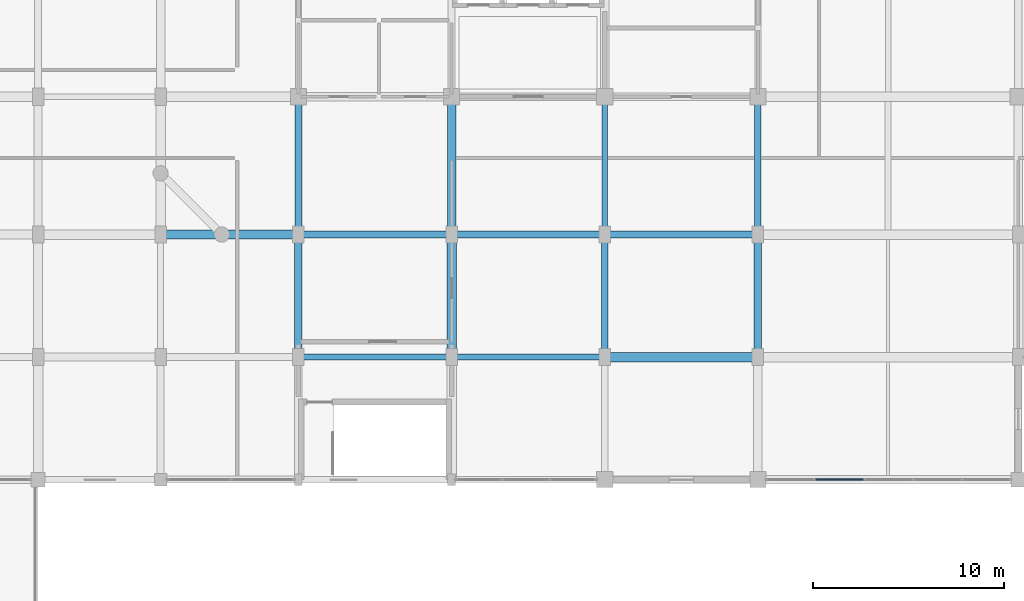
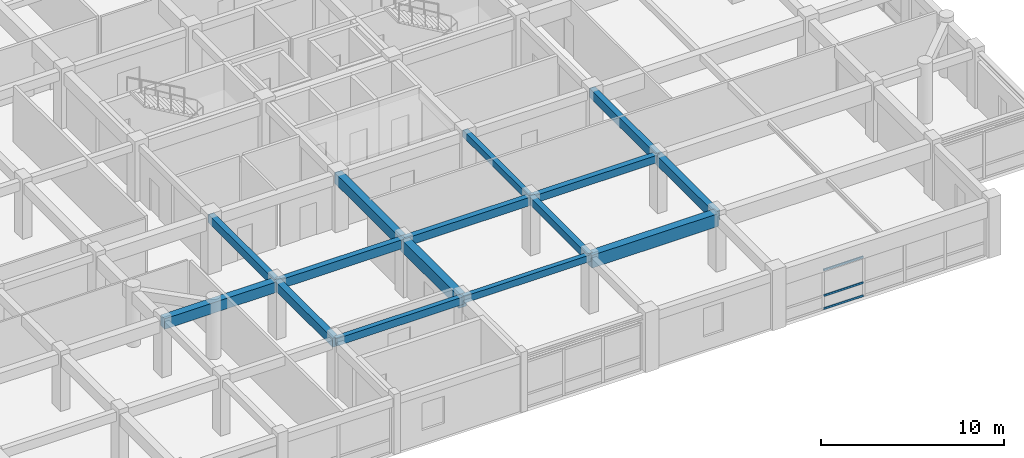
# One storey, part 10 of 27: 15 beams, 3 members, 1 element without a shape of its own.
"""IFC4 building model written with IfcOpenShell, lengths in metres."""

from ifc_helpers import new_model, si_unit, direction, frame, origin, origin_2d, place, context, subcontext, project, spatial, rectangle, extrude, material, material_profile, profile_set, type_object, element, aggregate, save


model = new_model("IFC4")

# Units and contexts
model_context = context("Model", 3, precision=1e-05, world=origin(), true_north=direction((0.0, 1.0)))
body_context = subcontext(model_context, "Body", "Model", "MODEL_VIEW")
ifc_project = project(units=[si_unit("LENGTHUNIT", "METRE"), si_unit("AREAUNIT", "SQUARE_METRE"), si_unit("VOLUMEUNIT", "CUBIC_METRE"), si_unit("PLANEANGLEUNIT", "RADIAN"), si_unit("MASSUNIT", "GRAM", prefix="KILO")], contexts=[model_context])

# Site, building, storey
site_placement = place(None, origin())
site = spatial("IfcSite", under=ifc_project, at=site_placement, CompositionType="ELEMENT")
building_placement = place(site_placement, origin())
building = spatial("IfcBuilding", under=site, at=building_placement, Name="Vellmiral Cinema and Media Centre", CompositionType="ELEMENT")
storey_placement = place(building_placement, frame((0.0, 0.0, 19.800048828125)))
storey = spatial("IfcBuildingStorey", under=building, at=storey_placement, Name="L04", CompositionType="ELEMENT", Elevation=19.800048828125)

# Beams
ifc_material_1 = material(Name="Concrete C40/50", Category="concrete")
ifc_material_profile_1 = material_profile(ifc_material_1, rectangle(XDim=0.300048828125, YDim=0.449951171875, at=origin_2d()), Name="RC 300x450")
ifc_profile_set_1 = profile_set([ifc_material_profile_1], Name="Concrete C40/50")
beam_type_1 = type_object("IfcBeamType", Name="BM-RC-300x450", PredefinedType="BEAM", material=ifc_profile_set_1)
beam_1_placement = place(storey_placement, frame((132.0, 65.60009765625, 3.469970703125), z_axis=(1.0, 0.0, 0.0), x_axis=(0.0, 1.0, 0.0)))
element("IfcBeam", 1, at=beam_1_placement, inside=storey, type_object=beam_type_1, Name="Grid Beam L04-X012", PredefinedType="BEAM", context=body_context, shape_type="SweptSolid", body=[
    extrude(rectangle(XDim=0.300048828125, YDim=0.449951171875, at=origin_2d()), origin(), (0.0, 0.0, 1.0), 8.0),
])
beam_2_placement = place(storey_placement, frame((140.0, 72.0, 3.469970703125), z_axis=(0.0, 1.0, 0.0), x_axis=(-1.0, 0.0, 0.0)))
element("IfcBeam", 2, at=beam_2_placement, inside=storey, type_object=beam_type_1, Name="Grid Beam L04-Y091", PredefinedType="BEAM", context=body_context, shape_type="SweptSolid", body=[
    extrude(rectangle(XDim=0.300048828125, YDim=0.449951171875, at=origin_2d()), origin(), (0.0, 0.0, 1.0), 7.199951171875),
])
ifc_material_2 = material(Name="Concrete C40/50", Category="concrete")
ifc_material_profile_2 = material_profile(ifc_material_2, rectangle(XDim=0.300048828125, YDim=0.5, at=origin_2d()), Name="RC 300x500")
ifc_profile_set_2 = profile_set([ifc_material_profile_2], Name="Concrete C40/50")
beam_type_2 = type_object("IfcBeamType", Name="BM-RC-300x500", PredefinedType="BEAM", material=ifc_profile_set_2)
beam_3_placement = place(storey_placement, frame((124.0, 65.60009765625, 3.445068359375), z_axis=(1.0, 0.0, 0.0), x_axis=(0.0, 1.0, 0.0)))
element("IfcBeam", 3, at=beam_3_placement, inside=storey, type_object=beam_type_2, Name="Grid Beam L04-X011", PredefinedType="BEAM", context=body_context, shape_type="SweptSolid", body=[
    extrude(rectangle(XDim=0.300048828125, YDim=0.5, at=origin_2d()), origin(), (0.0, 0.0, 1.0), 8.0),
])
ifc_material_3 = material(Name="Concrete C40/50", Category="concrete")
ifc_material_profile_3 = material_profile(ifc_material_3, rectangle(XDim=0.35009765625, YDim=0.5, at=origin_2d()), Name="RC 350x500")
ifc_profile_set_3 = profile_set([ifc_material_profile_3], Name="Concrete C40/50")
beam_type_3 = type_object("IfcBeamType", Name="BM-RC-350x500", PredefinedType="BEAM", material=ifc_profile_set_3)
beam_4_placement = place(storey_placement, frame((140.0, 72.0, 3.445068359375), z_axis=(1.0, 0.0, 0.0), x_axis=(0.0, 1.0, 0.0)))
element("IfcBeam", 4, at=beam_4_placement, inside=storey, type_object=beam_type_3, Name="Grid Beam L04-X021", PredefinedType="BEAM", context=body_context, shape_type="SweptSolid", body=[
    extrude(rectangle(XDim=0.35009765625, YDim=0.5, at=origin_2d()), origin(), (0.0, 0.0, 1.0), 8.0),
])
beam_5_placement = place(storey_placement, frame((140.0, 65.60009765625, 3.445068359375), z_axis=(0.0, 1.0, 0.0), x_axis=(-1.0, 0.0, 0.0)))
element("IfcBeam", 5, at=beam_5_placement, inside=storey, type_object=beam_type_3, Name="Grid Beam L04-Y090", PredefinedType="BEAM", context=body_context, shape_type="SweptSolid", body=[
    extrude(rectangle(XDim=0.35009765625, YDim=0.5, at=origin_2d()), origin(), (0.0, 0.0, 1.0), 6.39990234375),
])
ifc_material_4 = material(Name="Concrete C40/50", Category="concrete")
ifc_material_profile_4 = material_profile(ifc_material_4, rectangle(XDim=0.35009765625, YDim=0.550048828125, at=origin_2d()), Name="RC 350x550")
ifc_profile_set_4 = profile_set([ifc_material_profile_4], Name="Concrete C40/50")
beam_type_4 = type_object("IfcBeamType", Name="BM-RC-350x550", PredefinedType="BEAM", material=ifc_profile_set_4)
beam_6_placement = place(storey_placement, frame((132.0, 72.0, 3.419921875), z_axis=(1.0, 0.0, 0.0), x_axis=(0.0, 1.0, 0.0)))
element("IfcBeam", 6, at=beam_6_placement, inside=storey, type_object=beam_type_4, Name="Grid Beam L04-X020", PredefinedType="BEAM", context=body_context, shape_type="SweptSolid", body=[
    extrude(rectangle(XDim=0.35009765625, YDim=0.550048828125, at=origin_2d()), origin(), (0.0, 0.0, 1.0), 8.0),
])
beam_7_placement = place(storey_placement, frame((124.0, 72.0, 3.419921875), z_axis=(0.0, 1.0, 0.0), x_axis=(-1.0, 0.0, 0.0)))
element("IfcBeam", 7, at=beam_7_placement, inside=storey, type_object=beam_type_4, Name="Grid Beam L04-Y077", PredefinedType="BEAM", context=body_context, shape_type="SweptSolid", body=[
    extrude(rectangle(XDim=0.35009765625, YDim=0.550048828125, at=origin_2d()), origin(), (0.0, 0.0, 1.0), 7.199951171875),
])
ifc_material_5 = material(Name="Concrete C40/50", Category="concrete")
ifc_material_profile_5 = material_profile(ifc_material_5, rectangle(XDim=0.35009765625, YDim=0.60009765625, at=origin_2d()), Name="RC 350x600")
ifc_profile_set_5 = profile_set([ifc_material_profile_5], Name="Concrete C40/50")
beam_type_5 = type_object("IfcBeamType", Name="BM-RC-350x600", PredefinedType="BEAM", material=ifc_profile_set_5)
beam_8_placement = place(storey_placement, frame((124.0, 72.0, 3.39501953125), z_axis=(1.0, 0.0, 0.0), x_axis=(0.0, 1.0, 0.0)))
element("IfcBeam", 8, at=beam_8_placement, inside=storey, type_object=beam_type_5, Name="Grid Beam L04-X019", PredefinedType="BEAM", context=body_context, shape_type="SweptSolid", body=[
    extrude(rectangle(XDim=0.35009765625, YDim=0.60009765625, at=origin_2d()), origin(), (0.0, 0.0, 1.0), 8.0),
])
beam_9_placement = place(storey_placement, frame((148.0, 72.0, 3.39501953125), z_axis=(0.0, 1.0, 0.0), x_axis=(-1.0, 0.0, 0.0)))
element("IfcBeam", 9, at=beam_9_placement, inside=storey, type_object=beam_type_5, Name="Grid Beam L04-Y098", PredefinedType="BEAM", context=body_context, shape_type="SweptSolid", body=[
    extrude(rectangle(XDim=0.35009765625, YDim=0.60009765625, at=origin_2d()), origin(), (0.0, 0.0, 1.0), 7.199951171875),
])
ifc_material_6 = material(Name="Concrete C40/50", Category="concrete")
ifc_material_profile_6 = material_profile(ifc_material_6, rectangle(XDim=0.39990234375, YDim=0.60009765625, at=origin_2d()), Name="RC 400x600")
ifc_profile_set_6 = profile_set([ifc_material_profile_6], Name="Concrete C40/50")
beam_type_6 = type_object("IfcBeamType", Name="BM-RC-400x600", PredefinedType="BEAM", material=ifc_profile_set_6)
beam_10_placement = place(storey_placement, frame((124.0, 65.60009765625, 3.39501953125), z_axis=(0.0, 1.0, 0.0), x_axis=(-1.0, 0.0, 0.0)))
element("IfcBeam", 10, at=beam_10_placement, inside=storey, type_object=beam_type_6, Name="Grid Beam L04-Y076", PredefinedType="BEAM", context=body_context, shape_type="SweptSolid", body=[
    extrude(rectangle(XDim=0.39990234375, YDim=0.60009765625, at=origin_2d()), origin(), (0.0, 0.0, 1.0), 6.39990234375),
])
ifc_material_7 = material(Name="Concrete C40/50", Category="concrete")
ifc_material_profile_7 = material_profile(ifc_material_7, rectangle(XDim=0.39990234375, YDim=0.64990234375, at=origin_2d()), Name="RC 400x650")
ifc_profile_set_7 = profile_set([ifc_material_profile_7], Name="Concrete C40/50")
beam_type_7 = type_object("IfcBeamType", Name="BM-RC-400x650", PredefinedType="BEAM", material=ifc_profile_set_7)
beam_11_placement = place(storey_placement, frame((148.0, 65.60009765625, 3.369873046875), z_axis=(0.0, 1.0, 0.0), x_axis=(-1.0, 0.0, 0.0)))
element("IfcBeam", 11, at=beam_11_placement, inside=storey, type_object=beam_type_7, Name="Grid Beam L04-Y097", PredefinedType="BEAM", context=body_context, shape_type="SweptSolid", body=[
    extrude(rectangle(XDim=0.39990234375, YDim=0.64990234375, at=origin_2d()), origin(), (0.0, 0.0, 1.0), 6.39990234375),
])
ifc_material_8 = material(Name="Concrete C40/50", Category="concrete")
ifc_material_profile_8 = material_profile(ifc_material_8, rectangle(XDim=0.449951171875, YDim=0.699951171875, at=origin_2d()), Name="RC 450x700")
ifc_profile_set_8 = profile_set([ifc_material_profile_8], Name="Concrete C40/50")
beam_type_8 = type_object("IfcBeamType", Name="BM-RC-450x700", PredefinedType="BEAM", material=ifc_profile_set_8)
for number, where, z_axis, x_axis, name in (
    (12, (116.800048828125, 72.0, 3.344970703125), (1.0, 0.0, 0.0), (0.0, 1.0, 0.0), "Grid Beam L04-X018"),
    (13, (132.0, 72.0, 3.344970703125), (0.0, 1.0, 0.0), (-1.0, 0.0, 0.0), "Grid Beam L04-Y084"),
):
    element("IfcBeam", number, at=place(storey_placement, frame(where, z_axis=z_axis, x_axis=x_axis)), inside=storey, type_object=beam_type_8, Name=name, PredefinedType="BEAM", context=body_context, shape_type="SweptSolid", body=[
        extrude(rectangle(XDim=0.449951171875, YDim=0.699951171875, at=origin_2d()), origin(), (0.0, 0.0, 1.0), 7.199951171875),
    ])
ifc_material_9 = material(Name="Concrete C40/50", Category="concrete")
ifc_material_profile_9 = material_profile(ifc_material_9, rectangle(XDim=0.5, YDim=0.800048828125, at=origin_2d()), Name="RC 500x800")
ifc_profile_set_9 = profile_set([ifc_material_profile_9], Name="Concrete C40/50")
beam_type_9 = type_object("IfcBeamType", Name="BM-RC-500x800", PredefinedType="BEAM", material=ifc_profile_set_9)
beam_12_placement = place(storey_placement, frame((132.0, 65.60009765625, 3.294921875), z_axis=(0.0, 1.0, 0.0), x_axis=(-1.0, 0.0, 0.0)))
element("IfcBeam", 14, at=beam_12_placement, inside=storey, type_object=beam_type_9, Name="Grid Beam L04-Y083", PredefinedType="BEAM", context=body_context, shape_type="SweptSolid", body=[
    extrude(rectangle(XDim=0.5, YDim=0.800048828125, at=origin_2d()), origin(), (0.0, 0.0, 1.0), 6.39990234375),
])
ifc_material_10 = material(Name="Concrete C40/50", Category="concrete")
ifc_material_profile_10 = material_profile(ifc_material_10, rectangle(XDim=0.5, YDim=0.85009765625, at=origin_2d()), Name="RC 500x850")
ifc_profile_set_10 = profile_set([ifc_material_profile_10], Name="Concrete C40/50")
beam_type_10 = type_object("IfcBeamType", Name="BM-RC-500x850", PredefinedType="BEAM", material=ifc_profile_set_10)
beam_13_placement = place(storey_placement, frame((140.0, 65.60009765625, 3.27001953125), z_axis=(1.0, 0.0, 0.0), x_axis=(0.0, 1.0, 0.0)))
element("IfcBeam", 15, at=beam_13_placement, inside=storey, type_object=beam_type_10, Name="Grid Beam L04-X013", PredefinedType="BEAM", context=body_context, shape_type="SweptSolid", body=[
    extrude(rectangle(XDim=0.5, YDim=0.85009765625, at=origin_2d()), origin(), (0.0, 0.0, 1.0), 8.0),
])

# Curtain wall, members
ifc_material_11 = material(Name="Thermally Broken Aluminium and Triple Glazing", Category="aluminium")
curtain_wall_type = type_object("IfcCurtainWallType", Name="CW-TOWER-LOW-S", PredefinedType="USERDEFINED", material=ifc_material_11)
curtain_wall_placement = place(storey_placement, origin())
curtain_wall = element("IfcCurtainWall", 16, at=curtain_wall_placement, inside=storey, type_object=curtain_wall_type, Name="Curtain Wall L04-B009", ObjectType="UNITISED CURTAIN WALL", PredefinedType="USERDEFINED")
ifc_material_12 = material(Name="Thermally Broken Anodised Aluminium", Category="aluminium")
ifc_material_profile_11 = material_profile(ifc_material_12, rectangle(XDim=0.06494140625, YDim=0.135009765625, at=origin_2d()), Name="MULL 65x135")
ifc_profile_set_11 = profile_set([ifc_material_profile_11], Name="Thermally Broken Anodised Aluminium")
member_type = type_object("IfcMemberType", Name="CWT-65x135", PredefinedType="USERDEFINED", material=ifc_profile_set_11)
member_1_placement = place(storey_placement, frame((151.017578125, 59.199951171875, 0.032470703125), z_axis=(1.0, 0.0, 0.0), x_axis=(0.0, 1.0, 0.0)))
member_1 = element("IfcMember", 17, at=member_1_placement, type_object=member_type, Name="CW-06 transom 2.1", ObjectType="TRANSOM", PredefinedType="USERDEFINED", context=body_context, shape_type="SweptSolid", body=[
    extrude(rectangle(XDim=0.06494140625, YDim=0.135009765625, at=origin_2d()), origin(), (0.0, 0.0, 1.0), 2.494873046875),
])
member_2_placement = place(storey_placement, frame((151.017578125, 59.199951171875, 0.89990234375), z_axis=(1.0, 0.0, 0.0), x_axis=(0.0, 1.0, 0.0)))
member_2 = element("IfcMember", 18, at=member_2_placement, type_object=member_type, Name="CW-06 transom 2.2", ObjectType="TRANSOM", PredefinedType="USERDEFINED", context=body_context, shape_type="SweptSolid", body=[
    extrude(rectangle(XDim=0.06494140625, YDim=0.135009765625, at=origin_2d()), origin(), (0.0, 0.0, 1.0), 2.494873046875),
])
member_3_placement = place(storey_placement, frame((151.017578125, 59.199951171875, 2.6025390625), z_axis=(1.0, 0.0, 0.0), x_axis=(0.0, 1.0, 0.0)))
member_3 = element("IfcMember", 19, at=member_3_placement, type_object=member_type, Name="CW-06 transom 2.3", ObjectType="TRANSOM", PredefinedType="USERDEFINED", context=body_context, shape_type="SweptSolid", body=[
    extrude(rectangle(XDim=0.06494140625, YDim=0.135009765625, at=origin_2d()), origin(), (0.0, 0.0, 1.0), 2.494873046875),
])
aggregate(curtain_wall, [member_1, member_2, member_3])

save(model, "model.ifc")
